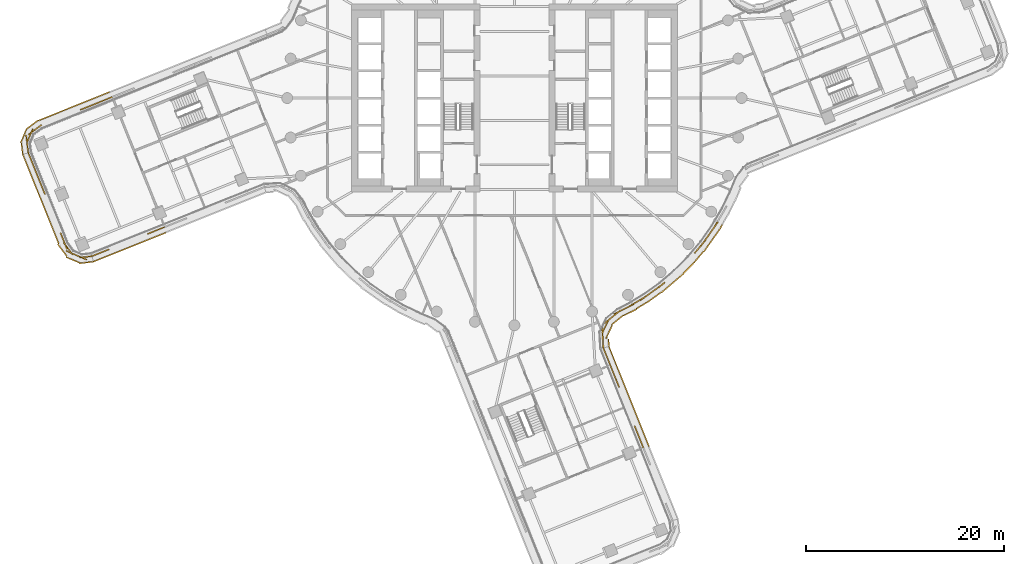
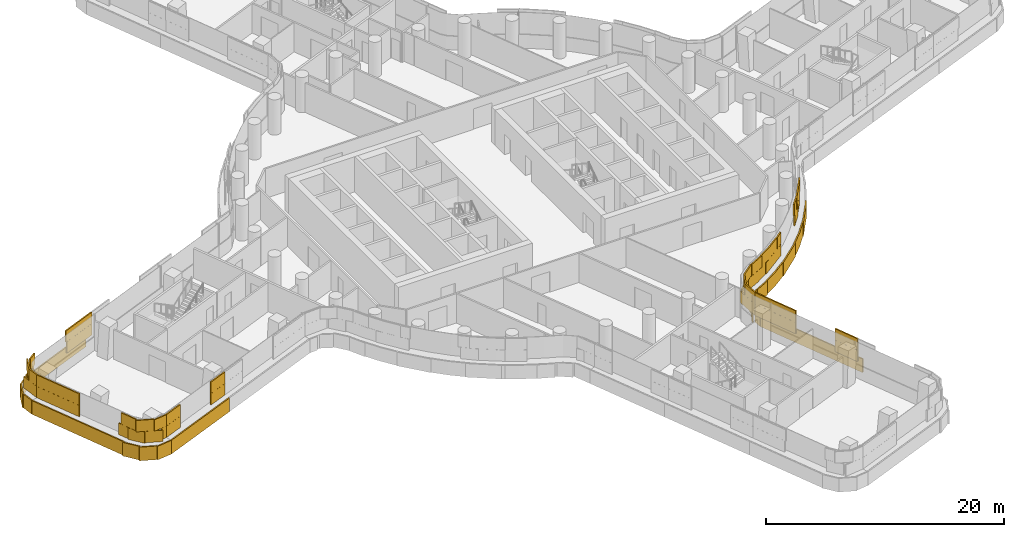
# One storey, part 27 of 32: 5 coverings.
"""IFC4 building model written with IfcOpenShell, lengths in metres."""

import ifcopenshell
import ifcopenshell.guid

model = None  # the IFC model being written
_history = None  # IfcOwnerHistory: only IFC2X3 demands one
_inside = {}  # id of a spatial element -> (the spatial element, [elements in it])
_under = {}  # id of a project, library or spatial element -> (it, [spatial elements below it])
_declared = {}  # id of a project -> (the project, [libraries it declares])
_typed = {}  # id of a type object -> (the type object, [elements of that type])
_made_of = {}  # id of a material, layer set ... -> (it, [elements and type objects made of it])


def new_model(schema):
    """Start an empty IFC model of exactly this schema.

    Asked for "IFC4X3", IfcOpenShell would pick the latest addendum, in which some entities
    have other attributes; the version numbers below select the first issue.
    IFC2X3 requires an IfcOwnerHistory on every rooted entity: one is made here for all.
    """
    global model, _history
    if schema == "IFC4X3":
        model = ifcopenshell.file(schema_version=(4, 3, 0, 0))
    else:
        model = ifcopenshell.file(schema=schema)
    _inside.clear()
    _under.clear()
    _declared.clear()
    _typed.clear()
    _made_of.clear()
    _history = None
    if model.schema == "IFC2X3":
        org = make("IfcOrganization", Name="unknown")
        user = make(
            "IfcPersonAndOrganization",
            ThePerson=make("IfcPerson", FamilyName="unknown"),
            TheOrganization=org,
        )
        app = make(
            "IfcApplication",
            ApplicationDeveloper=org,
            Version="unknown",
            ApplicationFullName="unknown",
            ApplicationIdentifier="unknown",
        )
        _history = make(
            "IfcOwnerHistory",
            OwningUser=user,
            OwningApplication=app,
            ChangeAction="ADDED",
            CreationDate=0,
        )
    return model


def make(cls, **values):
    """One entity of the class cls with the attributes given. An attribute that is None is left unset."""
    return model.create_entity(
        cls, **{name: value for name, value in values.items() if value is not None}
    )


def rooted(cls, **values):
    """An entity with a GlobalId (a new one), such as an element, a storey or a relation."""
    return make(cls, GlobalId=ifcopenshell.guid.new(), OwnerHistory=_history, **values)


def si_unit(unit_type, name, prefix=None):
    """IfcSIUnit, for example si_unit("LENGTHUNIT", "METRE", prefix="MILLI")."""
    return make("IfcSIUnit", UnitType=unit_type, Prefix=prefix, Name=name)


def assignment(units):
    """IfcUnitAssignment: the units of a project."""
    return None if units is None else make("IfcUnitAssignment", Units=units)


def point(xyz):
    """IfcCartesianPoint."""
    return None if xyz is None else make("IfcCartesianPoint", Coordinates=xyz)


def direction(xyz):
    """IfcDirection."""
    return None if xyz is None else make("IfcDirection", DirectionRatios=xyz)


def frame(location, z_axis=None, x_axis=None):
    """IfcAxis2Placement3D, a coordinate frame: its origin and axes. An axis left out is left unset."""
    return make(
        "IfcAxis2Placement3D",
        Location=point(location),
        Axis=direction(z_axis),
        RefDirection=direction(x_axis),
    )


def frame_2d(location, x_axis=None):
    """IfcAxis2Placement2D, a coordinate frame in the plane: its origin and x axis."""
    return make(
        "IfcAxis2Placement2D", Location=point(location), RefDirection=direction(x_axis)
    )


def origin():
    """The frame at (0, 0, 0) with its axes left unset."""
    return frame((0.0, 0.0, 0.0))


def origin_2d():
    """The frame at (0, 0) in the plane with its x axis left unset."""
    return frame_2d((0.0, 0.0))


def place(relative_to, where):
    """IfcLocalPlacement: puts the frame where relative to a parent placement (None: the world)."""
    return make(
        "IfcLocalPlacement", PlacementRelTo=relative_to, RelativePlacement=where
    )


def context(
    kind, dimensions, precision=None, world=None, true_north=None, identifier=None
):
    """IfcGeometricRepresentationContext, for example the 3D "Model" context."""
    return make(
        "IfcGeometricRepresentationContext",
        ContextIdentifier=identifier,
        ContextType=kind,
        CoordinateSpaceDimension=dimensions,
        Precision=precision,
        WorldCoordinateSystem=world,
        TrueNorth=true_north,
    )


def subcontext(parent, identifier, kind, view, scale=None):
    """IfcGeometricRepresentationSubContext, for example "Body" below "Model"."""
    return make(
        "IfcGeometricRepresentationSubContext",
        ContextIdentifier=identifier,
        ContextType=kind,
        ParentContext=parent,
        TargetScale=scale,
        TargetView=view,
    )


def project(units=None, contexts=None):
    """IfcProject with its units and contexts."""
    return rooted(
        "IfcProject",
        Name="project",
        RepresentationContexts=contexts,
        UnitsInContext=assignment(units),
    )


def spatial(cls, under=None, at=None, **own):
    """A site, building, storey or space (cls), placed at a placement, below another one or the project."""
    s = rooted(cls, ObjectPlacement=at, **own)
    if under is not None:
        _under.setdefault(under.id(), (under, []))[1].append(s)
    return s


def profile(cls, at=None, kind="AREA", **sizes):
    """A parametric profile (cls). Its sizes go by their IFC names, for example OverallWidth=200.0."""
    return make(cls, ProfileType=kind, Position=at, **sizes)


def rectangle(**sizes):
    """IfcRectangleProfileDef."""
    return profile("IfcRectangleProfileDef", **sizes)


def extrude(swept, where, along, depth):
    """IfcExtrudedAreaSolid: the profile swept, set in the frame where, extruded along a direction by depth."""
    return make(
        "IfcExtrudedAreaSolid",
        SweptArea=swept,
        Position=where,
        ExtrudedDirection=direction(along),
        Depth=depth,
    )


def shape(context_of_items, identifier, shape_type, items):
    """IfcShapeRepresentation: the items that make up one representation, for example the "Body"."""
    return make(
        "IfcShapeRepresentation",
        ContextOfItems=context_of_items,
        RepresentationIdentifier=identifier,
        RepresentationType=shape_type,
        Items=items,
    )


def material(Name=None, Category=None):
    """IfcMaterial."""
    return make("IfcMaterial", Name=Name, Category=Category)


def layer(
    of_material, thickness, ventilated=None, Name=None, Category=None, Priority=None
):
    """IfcMaterialLayer: one layer of a wall or slab, of a material (None: an air gap)."""
    return make(
        "IfcMaterialLayer",
        Material=of_material,
        LayerThickness=thickness,
        IsVentilated=ventilated,
        Name=Name,
        Category=Category,
        Priority=Priority,
    )


def layer_set(layers, Name=None):
    """IfcMaterialLayerSet."""
    return make("IfcMaterialLayerSet", MaterialLayers=layers, LayerSetName=Name)


def made_of(thing, what):
    """Note that an element or type object is made of a material, layer set ...; save() writes the relation."""
    if what is not None:
        _made_of.setdefault(what.id(), (what, []))[1].append(thing)
    return thing


def type_object(cls, material=None, **own):
    """A type object (cls), such as IfcWallType, which elements share."""
    return made_of(rooted(cls, **own), material)


def element(
    cls,
    number,
    at=None,
    inside=None,
    cuts=None,
    type_object=None,
    material=None,
    context=None,
    identifier="Body",
    shape_type=None,
    held_by="IfcProductDefinitionShape",
    body=None,
    shapes=None,
    **own,
):
    """One element of the class cls, such as IfcWall. Its Tag is "e" and its number.

    at: its placement. inside: the storey or other place that contains it. cuts: it is an
    opening in that element (IfcRelVoidsElement). A single representation is given by context,
    identifier, shape_type and body (its items); several are given by shapes. held_by: the class
    of the entity that holds the representations. save() writes the other relations.
    """
    e = rooted(cls, Tag="e%d" % number, ObjectPlacement=at, **own)
    if body is not None:
        shapes = [shape(context, identifier, shape_type, body)]
    if shapes is not None:
        e.Representation = make(held_by, Representations=shapes)
    if inside is not None:
        _inside.setdefault(inside.id(), (inside, []))[1].append(e)
    if cuts is not None:
        rooted(
            "IfcRelVoidsElement", RelatingBuildingElement=cuts, RelatedOpeningElement=e
        )
    if type_object is not None:
        _typed.setdefault(type_object.id(), (type_object, []))[1].append(e)
    return made_of(e, material)


def aggregate(whole, parts):
    """IfcRelAggregates: a whole, such as a stair, and the parts it consists of."""
    return rooted("IfcRelAggregates", RelatingObject=whole, RelatedObjects=parts)


def save(model, path):
    """Write the relations noted so far, then the file.

    IfcRelAggregates (storeys below a building ...), IfcRelContainedInSpatialStructure (elements
    in a storey), IfcRelDefinesByType, IfcRelAssociatesMaterial and IfcRelDeclares: one each for
    every whole, place, type object, material and project.
    """
    for whole, parts in _under.values():
        aggregate(whole, parts)
    for where, things in _inside.values():
        rooted(
            "IfcRelContainedInSpatialStructure",
            RelatedElements=things,
            RelatingStructure=where,
        )
    for kind, things in _typed.values():
        rooted("IfcRelDefinesByType", RelatedObjects=things, RelatingType=kind)
    for what, things in _made_of.values():
        rooted("IfcRelAssociatesMaterial", RelatedObjects=things, RelatingMaterial=what)
    for by, libraries in _declared.values():
        rooted("IfcRelDeclares", RelatingContext=by, RelatedDefinitions=libraries)
    model.write(path)


model = new_model("IFC4")

# Units and contexts
model_context = context("Model", 3, precision=1e-05, world=origin(), true_north=direction((0.0, 1.0)))
body_context = subcontext(model_context, "Body", "Model", "MODEL_VIEW")
ifc_project = project(units=[si_unit("LENGTHUNIT", "METRE"), si_unit("AREAUNIT", "SQUARE_METRE"), si_unit("VOLUMEUNIT", "CUBIC_METRE"), si_unit("PLANEANGLEUNIT", "RADIAN"), si_unit("MASSUNIT", "GRAM", prefix="KILO")], contexts=[model_context])

# Site, building, storey
site_placement = place(None, origin())
site = spatial("IfcSite", under=ifc_project, at=site_placement, CompositionType="ELEMENT")
building_placement = place(site_placement, origin())
building = spatial("IfcBuilding", under=site, at=building_placement, Name="Tamarind Cross Interchange Tower", CompositionType="ELEMENT")
storey_placement = place(building_placement, frame((0.0, 0.0, 113.5)))
storey = spatial("IfcBuildingStorey", under=building, at=storey_placement, Name="L27", CompositionType="ELEMENT", Elevation=113.5)

# Coverings
ifc_material = material(Name="Terracotta", Category="masonry")
ifc_layer = layer(ifc_material, 0.1201171875)
ifc_layer_set = layer_set([ifc_layer], Name="Terracotta")
covering_type = type_object("IfcCoveringType", Name="Terracotta baguette screen unit", PredefinedType="MOLDING", material=ifc_layer_set)
covering_1_placement = place(storey_placement, origin())
element("IfcCovering", 1, at=covering_1_placement, inside=storey, type_object=covering_type, Name="SCR-L27-00-00", PredefinedType="MOLDING", context=body_context, shape_type="SweptSolid", body=[
    extrude(rectangle(XDim=0.760009765625, YDim=0.1201171875, at=origin_2d()), frame((-49.06494140625, -5.903564453125, 1.404052734375), z_axis=(0.0, 0.0, 1.0), x_axis=(0.373648394893, -0.927570416192, 0.0)), (0.0, 0.0, 1.0), 1.1669921875),
    extrude(rectangle(XDim=1.52001953125, YDim=0.1201171875, at=origin_2d()), frame((-48.644775390625, -6.947021484375, 1.404052734375), z_axis=(0.0, 0.0, 1.0), x_axis=(0.373648394893, -0.927570416192, 0.0)), (0.0, 0.0, 1.0), 1.1669921875),
    extrude(rectangle(XDim=1.52001953125, YDim=0.1201171875, at=origin_2d()), frame((-48.084228515625, -8.33837890625, 1.404052734375), z_axis=(0.0, 0.0, 1.0), x_axis=(0.373648394893, -0.927570416192, 0.0)), (0.0, 0.0, 1.0), 1.1669921875),
    extrude(rectangle(XDim=0.784912109375, YDim=0.1201171875, at=origin_2d()), frame((-47.6591796875, -9.3935546875, 1.404052734375), z_axis=(0.0, 0.0, 1.0), x_axis=(0.373648394893, -0.927570416192, 0.0)), (0.0, 0.0, 1.0), 1.1669921875),
    extrude(rectangle(XDim=1.03515625, YDim=0.1201171875, at=origin_2d()), frame((-45.753662109375, -14.1240234375, 1.404052734375), z_axis=(0.0, 0.0, 1.0), x_axis=(0.373648394893, -0.927570416192, 0.0)), (0.0, 0.0, 1.0), 1.1669921875),
    extrude(rectangle(XDim=1.52001953125, YDim=0.1201171875, at=origin_2d()), frame((-45.173583984375, -15.234130859375, 1.404052734375), z_axis=(0.0, 0.0, 1.0), x_axis=(0.600989523963, -0.799256899931, 0.0)), (0.0, 0.0, 1.0), 1.1669921875),
    extrude(rectangle(XDim=1.52001953125, YDim=0.1201171875, at=origin_2d()), frame((-43.983154296875, -16.064208984375, 1.404052734375), z_axis=(0.0, 0.0, 1.0), x_axis=(0.920100645125, -0.391682017509, 0.0)), (0.0, 0.0, 1.0), 1.1669921875),
    extrude(rectangle(XDim=0.509521484375, YDim=0.1201171875, at=origin_2d()), frame((-43.003662109375, -16.03466796875, 1.404052734375), z_axis=(0.0, 0.0, 1.0), x_axis=(0.992671541471, 0.120843745195, 0.0)), (0.0, 0.0, 1.0), 1.1669921875),
    extrude(rectangle(XDim=1.510009765625, YDim=0.1201171875, at=origin_2d()), frame((-48.9248046875, -6.25146484375, 2.5791015625), z_axis=(0.0, 0.0, 1.0), x_axis=(0.373648394893, -0.927570416192, 0.0)), (0.0, 0.0, 1.0), 1.1669921875),
    extrude(rectangle(XDim=1.52001953125, YDim=0.1201171875, at=origin_2d()), frame((-48.364501953125, -7.642822265625, 2.5791015625), z_axis=(0.0, 0.0, 1.0), x_axis=(0.373648394893, -0.927570416192, 0.0)), (0.0, 0.0, 1.0), 1.1669921875),
    extrude(rectangle(XDim=1.52001953125, YDim=0.1201171875, at=origin_2d()), frame((-47.803955078125, -9.0341796875, 2.5791015625), z_axis=(0.0, 0.0, 1.0), x_axis=(0.373648394893, -0.927570416192, 0.0)), (0.0, 0.0, 1.0), 1.1669921875),
    extrude(rectangle(XDim=1.52001953125, YDim=0.1201171875, at=origin_2d()), frame((-45.56201171875, -14.599609375, 2.5791015625), z_axis=(0.0, 0.0, 1.0), x_axis=(0.373648394893, -0.927570416192, 0.0)), (0.0, 0.0, 1.0), 1.1669921875),
    extrude(rectangle(XDim=1.52001953125, YDim=0.1201171875, at=origin_2d()), frame((-44.67333984375, -15.770263671875, 2.5791015625), z_axis=(0.0, 0.0, 1.0), x_axis=(0.920100645125, -0.391682017509, 0.0)), (0.0, 0.0, 1.0), 1.1669921875),
    extrude(rectangle(XDim=1.259521484375, YDim=0.1201171875, at=origin_2d()), frame((-43.3759765625, -16.080078125, 2.5791015625), z_axis=(0.0, 0.0, 1.0), x_axis=(0.992671541471, 0.120843745195, 0.0)), (0.0, 0.0, 1.0), 1.1669921875),
    extrude(rectangle(XDim=0.760009765625, YDim=0.1201171875, at=origin_2d()), frame((-49.623779296875, -6.052490234375, 0.00390625), z_axis=(0.0, 0.0, 1.0), x_axis=(0.373648394893, -0.927570416192, 0.0)), (0.0, 0.0, 1.0), 1.39208984375),
    extrude(rectangle(XDim=1.52001953125, YDim=0.1201171875, at=origin_2d()), frame((-49.205322265625, -7.091552734375, 0.00390625), z_axis=(0.0, 0.0, 1.0), x_axis=(0.373648394893, -0.927570416192, 0.0)), (0.0, 0.0, 1.0), 1.39208984375),
    extrude(rectangle(XDim=1.52001953125, YDim=0.1201171875, at=origin_2d()), frame((-48.644775390625, -8.48291015625, 0.00390625), z_axis=(0.0, 0.0, 1.0), x_axis=(0.373648394893, -0.927570416192, 0.0)), (0.0, 0.0, 1.0), 1.39208984375),
    extrude(rectangle(XDim=1.52001953125, YDim=0.1201171875, at=origin_2d()), frame((-48.08447265625, -9.874267578125, 0.00390625), z_axis=(0.0, 0.0, 1.0), x_axis=(0.373648394893, -0.927570416192, 0.0)), (0.0, 0.0, 1.0), 1.39208984375),
    extrude(rectangle(XDim=1.52001953125, YDim=0.1201171875, at=origin_2d()), frame((-47.52392578125, -11.265625, 0.00390625), z_axis=(0.0, 0.0, 1.0), x_axis=(0.373648394893, -0.927570416192, 0.0)), (0.0, 0.0, 1.0), 1.39208984375),
    extrude(rectangle(XDim=1.52001953125, YDim=0.1201171875, at=origin_2d()), frame((-46.96337890625, -12.656982421875, 0.00390625), z_axis=(0.0, 0.0, 1.0), x_axis=(0.373648394893, -0.927570416192, 0.0)), (0.0, 0.0, 1.0), 1.39208984375),
    extrude(rectangle(XDim=1.52001953125, YDim=0.1201171875, at=origin_2d()), frame((-46.403076171875, -14.04833984375, 0.00390625), z_axis=(0.0, 0.0, 1.0), x_axis=(0.373648394893, -0.927570416192, 0.0)), (0.0, 0.0, 1.0), 1.39208984375),
    extrude(rectangle(XDim=1.52001953125, YDim=0.1201171875, at=origin_2d()), frame((-45.7685546875, -15.39794921875, 0.00390625), z_axis=(0.0, 0.0, 1.0), x_axis=(0.600989523963, -0.799256899931, 0.0)), (0.0, 0.0, 1.0), 1.39208984375),
    extrude(rectangle(XDim=1.52001953125, YDim=0.1201171875, at=origin_2d()), frame((-44.69970703125, -16.383056640625, 0.00390625), z_axis=(0.0, 0.0, 1.0), x_axis=(0.920100645125, -0.391682017509, 0.0)), (0.0, 0.0, 1.0), 1.39208984375),
    extrude(rectangle(XDim=1.426513671875, YDim=0.1201171875, at=origin_2d()), frame((-43.31982421875, -16.6513671875, 0.00390625), z_axis=(0.0, 0.0, 1.0), x_axis=(0.992671541471, 0.120843745195, 0.0)), (0.0, 0.0, 1.0), 1.39208984375),
])
covering_2_placement = place(storey_placement, origin())
element("IfcCovering", 2, at=covering_2_placement, inside=storey, type_object=covering_type, Name="SCR-L27-01-00", PredefinedType="MOLDING", context=body_context, shape_type="SweptSolid", body=[
    extrude(rectangle(XDim=0.760009765625, YDim=0.1201171875, at=origin_2d()), frame((-42.40771484375, -15.864990234375, 1.404052734375), z_axis=(0.0, 0.0, 1.0), x_axis=(0.928182933401, 0.372124229448, 0.0)), (0.0, 0.0, 1.0), 1.1669921875),
    extrude(rectangle(XDim=1.11962890625, YDim=0.1201171875, at=origin_2d()), frame((-41.544677734375, -15.51904296875, 1.404052734375), z_axis=(0.0, 0.0, 1.0), x_axis=(0.928182933401, 0.372124229448, 0.0)), (0.0, 0.0, 1.0), 1.1669921875),
    extrude(rectangle(XDim=0.700439453125, YDim=0.1201171875, at=origin_2d()), frame((-36.810791015625, -13.62109375, 1.404052734375), z_axis=(0.0, 0.0, 1.0), x_axis=(0.928182933401, 0.372124229448, 0.0)), (0.0, 0.0, 1.0), 1.1669921875),
    extrude(rectangle(XDim=1.179443359375, YDim=0.1201171875, at=origin_2d()), frame((-35.94775390625, -13.275146484375, 1.404052734375), z_axis=(0.0, 0.0, 1.0), x_axis=(0.928182933401, 0.372124229448, 0.0)), (0.0, 0.0, 1.0), 1.1669921875),
    extrude(rectangle(XDim=1.510009765625, YDim=0.1201171875, at=origin_2d()), frame((-42.0595703125, -15.725341796875, 2.5791015625), z_axis=(0.0, 0.0, 1.0), x_axis=(0.928182933401, 0.372124229448, 0.0)), (0.0, 0.0, 1.0), 1.1669921875),
    extrude(rectangle(XDim=0.36962890625, YDim=0.1201171875, at=origin_2d()), frame((-41.196533203125, -15.37939453125, 2.5791015625), z_axis=(0.0, 0.0, 1.0), x_axis=(0.928182933401, 0.372124229448, 0.0)), (0.0, 0.0, 1.0), 1.1669921875),
    extrude(rectangle(XDim=1.450439453125, YDim=0.1201171875, at=origin_2d()), frame((-36.462890625, -13.481689453125, 2.5791015625), z_axis=(0.0, 0.0, 1.0), x_axis=(0.928182933401, 0.372124229448, 0.0)), (0.0, 0.0, 1.0), 1.1669921875),
    extrude(rectangle(XDim=0.429443359375, YDim=0.1201171875, at=origin_2d()), frame((-35.599853515625, -13.135498046875, 2.5791015625), z_axis=(0.0, 0.0, 1.0), x_axis=(0.928182933401, 0.372124229448, 0.0)), (0.0, 0.0, 1.0), 1.1669921875),
    extrude(rectangle(XDim=0.760009765625, YDim=0.1201171875, at=origin_2d()), frame((-42.259033203125, -16.423828125, 0.00390625), z_axis=(0.0, 0.0, 1.0), x_axis=(0.928182933401, 0.372124229448, 0.0)), (0.0, 0.0, 1.0), 1.39208984375),
    extrude(rectangle(XDim=1.52001953125, YDim=0.1201171875, at=origin_2d()), frame((-41.219482421875, -16.007080078125, 0.00390625), z_axis=(0.0, 0.0, 1.0), x_axis=(0.928182933401, 0.372124229448, 0.0)), (0.0, 0.0, 1.0), 1.39208984375),
    extrude(rectangle(XDim=1.52001953125, YDim=0.1201171875, at=origin_2d()), frame((-39.827392578125, -15.448974609375, 0.00390625), z_axis=(0.0, 0.0, 1.0), x_axis=(0.928182933401, 0.372124229448, 0.0)), (0.0, 0.0, 1.0), 1.39208984375),
    extrude(rectangle(XDim=1.52001953125, YDim=0.1201171875, at=origin_2d()), frame((-38.43505859375, -14.890625, 0.00390625), z_axis=(0.0, 0.0, 1.0), x_axis=(0.928182933401, 0.372124229448, 0.0)), (0.0, 0.0, 1.0), 1.39208984375),
    extrude(rectangle(XDim=1.52001953125, YDim=0.1201171875, at=origin_2d()), frame((-37.042724609375, -14.33251953125, 0.00390625), z_axis=(0.0, 0.0, 1.0), x_axis=(0.928182933401, 0.372124229448, 0.0)), (0.0, 0.0, 1.0), 1.39208984375),
    extrude(rectangle(XDim=1.17138671875, YDim=0.1201171875, at=origin_2d()), frame((-35.812255859375, -13.839111328125, 0.00390625), z_axis=(0.0, 0.0, 1.0), x_axis=(0.928182933401, 0.372124229448, 0.0)), (0.0, 0.0, 1.0), 1.39208984375),
])
covering_3_placement = place(storey_placement, origin())
element("IfcCovering", 3, at=covering_3_placement, inside=storey, type_object=covering_type, Name="SCR-L27-05-01", PredefinedType="MOLDING", context=body_context, shape_type="SweptSolid", body=[
    extrude(rectangle(XDim=0.340576171875, YDim=0.1201171875, at=origin_2d()), frame((12.99609375, -35.251708984375, 1.404052734375), z_axis=(0.0, 0.0, 1.0), x_axis=(-0.372124229448, 0.928182933401, 0.0)), (0.0, 0.0, 1.0), 1.1669921875),
    extrude(rectangle(XDim=1.52001953125, YDim=0.1201171875, at=origin_2d()), frame((12.655517578125, -34.402099609375, 1.404052734375), z_axis=(0.0, 0.0, 1.0), x_axis=(-0.372124229448, 0.928182933401, 0.0)), (0.0, 0.0, 1.0), 1.1669921875),
    extrude(rectangle(XDim=0.57861328125, YDim=0.1201171875, at=origin_2d()), frame((12.2705078125, -33.442138671875, 1.404052734375), z_axis=(0.0, 0.0, 1.0), x_axis=(-0.372124229448, 0.928182933401, 0.0)), (0.0, 0.0, 1.0), 1.1669921875),
    extrude(rectangle(XDim=1.241455078125, YDim=0.1201171875, at=origin_2d()), frame((10.372802734375, -28.708251953125, 1.404052734375), z_axis=(0.0, 0.0, 1.0), x_axis=(-0.372124229448, 0.928182933401, 0.0)), (0.0, 0.0, 1.0), 1.1669921875),
    extrude(rectangle(XDim=1.52001953125, YDim=0.1201171875, at=origin_2d()), frame((9.864501953125, -27.440673828125, 1.404052734375), z_axis=(0.0, 0.0, 1.0), x_axis=(-0.372124229448, 0.928182933401, 0.0)), (0.0, 0.0, 1.0), 1.1669921875),
    extrude(rectangle(XDim=1.52001953125, YDim=0.1201171875, at=origin_2d()), frame((9.306396484375, -26.048583984375, 1.404052734375), z_axis=(0.0, 0.0, 1.0), x_axis=(-0.372124229448, 0.928182933401, 0.0)), (0.0, 0.0, 1.0), 1.1669921875),
    extrude(rectangle(XDim=0.084228515625, YDim=0.1201171875, at=origin_2d()), frame((9.013427734375, -25.31787109375, 1.404052734375), z_axis=(0.0, 0.0, 1.0), x_axis=(-0.372124229448, 0.928182933401, 0.0)), (0.0, 0.0, 1.0), 1.1669921875),
    extrude(rectangle(XDim=1.090576171875, YDim=0.1201171875, at=origin_2d()), frame((12.8564453125, -34.903564453125, 2.5791015625), z_axis=(0.0, 0.0, 1.0), x_axis=(-0.372124229448, 0.928182933401, 0.0)), (0.0, 0.0, 1.0), 1.1669921875),
    extrude(rectangle(XDim=1.32861328125, YDim=0.1201171875, at=origin_2d()), frame((12.41015625, -33.790283203125, 2.5791015625), z_axis=(0.0, 0.0, 1.0), x_axis=(-0.372124229448, 0.928182933401, 0.0)), (0.0, 0.0, 1.0), 1.1669921875),
    extrude(rectangle(XDim=0.491455078125, YDim=0.1201171875, at=origin_2d()), frame((10.51220703125, -29.056396484375, 2.5791015625), z_axis=(0.0, 0.0, 1.0), x_axis=(-0.372124229448, 0.928182933401, 0.0)), (0.0, 0.0, 1.0), 1.1669921875),
    extrude(rectangle(XDim=1.52001953125, YDim=0.1201171875, at=origin_2d()), frame((10.1435546875, -28.136962890625, 2.5791015625), z_axis=(0.0, 0.0, 1.0), x_axis=(-0.372124229448, 0.928182933401, 0.0)), (0.0, 0.0, 1.0), 1.1669921875),
    extrude(rectangle(XDim=1.52001953125, YDim=0.1201171875, at=origin_2d()), frame((9.58544921875, -26.74462890625, 2.5791015625), z_axis=(0.0, 0.0, 1.0), x_axis=(-0.372124229448, 0.928182933401, 0.0)), (0.0, 0.0, 1.0), 1.1669921875),
    extrude(rectangle(XDim=0.834228515625, YDim=0.1201171875, at=origin_2d()), frame((9.15283203125, -25.666015625, 2.5791015625), z_axis=(0.0, 0.0, 1.0), x_axis=(-0.372124229448, 0.928182933401, 0.0)), (0.0, 0.0, 1.0), 1.1669921875),
    extrude(rectangle(XDim=0.3486328125, YDim=0.1201171875, at=origin_2d()), frame((13.556396484375, -35.10693359375, 0.00390625), z_axis=(0.0, 0.0, 1.0), x_axis=(-0.372124229448, 0.928182933401, 0.0)), (0.0, 0.0, 1.0), 1.39208984375),
    extrude(rectangle(XDim=1.52001953125, YDim=0.1201171875, at=origin_2d()), frame((13.216064453125, -34.25830078125, 0.00390625), z_axis=(0.0, 0.0, 1.0), x_axis=(-0.372124229448, 0.928182933401, 0.0)), (0.0, 0.0, 1.0), 1.39208984375),
    extrude(rectangle(XDim=1.52001953125, YDim=0.1201171875, at=origin_2d()), frame((12.657958984375, -32.865966796875, 0.00390625), z_axis=(0.0, 0.0, 1.0), x_axis=(-0.372124229448, 0.928182933401, 0.0)), (0.0, 0.0, 1.0), 1.39208984375),
    extrude(rectangle(XDim=1.52001953125, YDim=0.1201171875, at=origin_2d()), frame((12.099853515625, -31.4736328125, 0.00390625), z_axis=(0.0, 0.0, 1.0), x_axis=(-0.372124229448, 0.928182933401, 0.0)), (0.0, 0.0, 1.0), 1.39208984375),
    extrude(rectangle(XDim=1.52001953125, YDim=0.1201171875, at=origin_2d()), frame((11.54150390625, -30.081298828125, 0.00390625), z_axis=(0.0, 0.0, 1.0), x_axis=(-0.372124229448, 0.928182933401, 0.0)), (0.0, 0.0, 1.0), 1.39208984375),
    extrude(rectangle(XDim=1.52001953125, YDim=0.1201171875, at=origin_2d()), frame((10.9833984375, -28.689208984375, 0.00390625), z_axis=(0.0, 0.0, 1.0), x_axis=(-0.372124229448, 0.928182933401, 0.0)), (0.0, 0.0, 1.0), 1.39208984375),
    extrude(rectangle(XDim=1.52001953125, YDim=0.1201171875, at=origin_2d()), frame((10.42529296875, -27.296875, 0.00390625), z_axis=(0.0, 0.0, 1.0), x_axis=(-0.372124229448, 0.928182933401, 0.0)), (0.0, 0.0, 1.0), 1.39208984375),
    extrude(rectangle(XDim=1.52001953125, YDim=0.1201171875, at=origin_2d()), frame((9.866943359375, -25.904541015625, 0.00390625), z_axis=(0.0, 0.0, 1.0), x_axis=(-0.372124229448, 0.928182933401, 0.0)), (0.0, 0.0, 1.0), 1.39208984375),
    extrude(rectangle(XDim=0.0654296875, YDim=0.1201171875, at=origin_2d()), frame((9.57958984375, -25.187255859375, 0.00390625), z_axis=(0.0, 0.0, 1.0), x_axis=(-0.372124229448, 0.928182933401, 0.0)), (0.0, 0.0, 1.0), 1.39208984375),
])
covering_4_placement = place(storey_placement, origin())
element("IfcCovering", 4, at=covering_4_placement, inside=storey, type_object=covering_type, Name="SCR-L27-06-00", PredefinedType="MOLDING", context=body_context, shape_type="SweptSolid", body=[
    extrude(rectangle(XDim=0.760009765625, YDim=0.1201171875, at=origin_2d()), frame((8.978271484375, -24.908935546875, 1.404052734375), z_axis=(0.0, 0.0, 1.0), x_axis=(-0.056999779649, 0.998374190932, 0.0)), (0.0, 0.0, 1.0), 1.1669921875),
    extrude(rectangle(XDim=1.52001953125, YDim=0.1201171875, at=origin_2d()), frame((8.9140625, -23.785888671875, 1.404052734375), z_axis=(0.0, 0.0, 1.0), x_axis=(-0.056999779649, 0.998374190932, 0.0)), (0.0, 0.0, 1.0), 1.1669921875),
    extrude(rectangle(XDim=1.52001953125, YDim=0.1201171875, at=origin_2d()), frame((9.556884765625, -22.441162109375, 1.404052734375), z_axis=(0.0, 0.0, 1.0), x_axis=(0.776503721917, 0.630112664409, 0.0)), (0.0, 0.0, 1.0), 1.1669921875),
    extrude(rectangle(XDim=1.52001953125, YDim=0.1201171875, at=origin_2d()), frame((10.747314453125, -21.535888671875, 1.404052734375), z_axis=(0.0, 0.0, 1.0), x_axis=(0.895032860107, 0.446000201042, 0.0)), (0.0, 0.0, 1.0), 1.1669921875),
    extrude(rectangle(XDim=1.52001953125, YDim=0.1201171875, at=origin_2d()), frame((12.067138671875, -20.8251953125, 1.404052734375), z_axis=(0.0, 0.0, 1.0), x_axis=(0.856843065292, 0.515577308909, 0.0)), (0.0, 0.0, 1.0), 1.1669921875),
    extrude(rectangle(XDim=1.52001953125, YDim=0.1201171875, at=origin_2d()), frame((13.347412109375, -20.04443359375, 1.404052734375), z_axis=(0.0, 0.0, 1.0), x_axis=(0.811340475102, 0.584573890505, 0.0)), (0.0, 0.0, 1.0), 1.1669921875),
    extrude(rectangle(XDim=1.52001953125, YDim=0.1201171875, at=origin_2d()), frame((14.564453125, -19.167724609375, 1.404052734375), z_axis=(0.0, 0.0, 1.0), x_axis=(0.811340475102, 0.584573890505, 0.0)), (0.0, 0.0, 1.0), 1.1669921875),
    extrude(rectangle(XDim=1.52001953125, YDim=0.1201171875, at=origin_2d()), frame((18.842041015625, -14.984375, 1.404052734375), z_axis=(0.0, 0.0, 1.0), x_axis=(0.643009266048, 0.765858396687, 0.0)), (0.0, 0.0, 1.0), 1.1669921875),
    extrude(rectangle(XDim=1.52001953125, YDim=0.1201171875, at=origin_2d()), frame((19.731689453125, -13.77783203125, 1.404052734375), z_axis=(0.0, 0.0, 1.0), x_axis=(0.577568978284, 0.816341886298, 0.0)), (0.0, 0.0, 1.0), 1.1669921875),
    extrude(rectangle(XDim=0.7685546875, YDim=0.1201171875, at=origin_2d()), frame((20.3642578125, -12.84326171875, 1.404052734375), z_axis=(0.0, 0.0, 1.0), x_axis=(0.508183308752, 0.861248933065, 0.0)), (0.0, 0.0, 1.0), 1.1669921875),
    extrude(rectangle(XDim=1.510009765625, YDim=0.1201171875, at=origin_2d()), frame((8.956787109375, -24.53466796875, 2.5791015625), z_axis=(0.0, 0.0, 1.0), x_axis=(-0.056999779649, 0.998374190932, 0.0)), (0.0, 0.0, 1.0), 1.1669921875),
    extrude(rectangle(XDim=1.52001953125, YDim=0.1201171875, at=origin_2d()), frame((9.217529296875, -23.10595703125, 2.5791015625), z_axis=(0.0, 0.0, 1.0), x_axis=(0.434261731752, 0.900786738544, 0.0)), (0.0, 0.0, 1.0), 1.1669921875),
    extrude(rectangle(XDim=1.52001953125, YDim=0.1201171875, at=origin_2d()), frame((10.139404296875, -21.968505859375, 2.5791015625), z_axis=(0.0, 0.0, 1.0), x_axis=(0.776503721917, 0.630112664409, 0.0)), (0.0, 0.0, 1.0), 1.1669921875),
    extrude(rectangle(XDim=1.52001953125, YDim=0.1201171875, at=origin_2d()), frame((11.418701171875, -21.201416015625, 2.5791015625), z_axis=(0.0, 0.0, 1.0), x_axis=(0.895032860107, 0.446000201042, 0.0)), (0.0, 0.0, 1.0), 1.1669921875),
    extrude(rectangle(XDim=1.52001953125, YDim=0.1201171875, at=origin_2d()), frame((12.709716796875, -20.4384765625, 2.5791015625), z_axis=(0.0, 0.0, 1.0), x_axis=(0.856843065292, 0.515577308909, 0.0)), (0.0, 0.0, 1.0), 1.1669921875),
    extrude(rectangle(XDim=1.52001953125, YDim=0.1201171875, at=origin_2d()), frame((13.9560546875, -19.60595703125, 2.5791015625), z_axis=(0.0, 0.0, 1.0), x_axis=(0.811340475102, 0.584573890505, 0.0)), (0.0, 0.0, 1.0), 1.1669921875),
    extrude(rectangle(XDim=0.85009765625, YDim=0.1201171875, at=origin_2d()), frame((14.9033203125, -18.919677734375, 2.5791015625), z_axis=(0.0, 0.0, 1.0), x_axis=(0.760295606781, 0.64957723968, 0.0)), (0.0, 0.0, 1.0), 1.1669921875),
    extrude(rectangle(XDim=0.969970703125, YDim=0.1201171875, at=origin_2d()), frame((18.533447265625, -15.35205078125, 2.5791015625), z_axis=(0.0, 0.0, 1.0), x_axis=(0.643009266048, 0.765858396687, 0.0)), (0.0, 0.0, 1.0), 1.1669921875),
    extrude(rectangle(XDim=1.52001953125, YDim=0.1201171875, at=origin_2d()), frame((19.298583984375, -14.39013671875, 2.5791015625), z_axis=(0.0, 0.0, 1.0), x_axis=(0.577568978284, 0.816341886298, 0.0)), (0.0, 0.0, 1.0), 1.1669921875),
    extrude(rectangle(XDim=1.52001953125, YDim=0.1201171875, at=origin_2d()), frame((20.164794921875, -13.16552734375, 2.5791015625), z_axis=(0.0, 0.0, 1.0), x_axis=(0.577568978284, 0.816341886298, 0.0)), (0.0, 0.0, 1.0), 1.1669921875),
    extrude(rectangle(XDim=0.760009765625, YDim=0.1201171875, at=origin_2d()), frame((9.545654296875, -24.777587890625, 0.00390625), z_axis=(0.0, 0.0, 1.0), x_axis=(-0.056999779649, 0.998374190932, 0.0)), (0.0, 0.0, 1.0), 1.39208984375),
    extrude(rectangle(XDim=1.52001953125, YDim=0.1201171875, at=origin_2d()), frame((9.57861328125, -23.6787109375, 0.00390625), z_axis=(0.0, 0.0, 1.0), x_axis=(0.434261731752, 0.900786738544, 0.0)), (0.0, 0.0, 1.0), 1.39208984375),
    extrude(rectangle(XDim=1.52001953125, YDim=0.1201171875, at=origin_2d()), frame((10.42138671875, -22.478759765625, 0.00390625), z_axis=(0.0, 0.0, 1.0), x_axis=(0.776503721917, 0.630112664409, 0.0)), (0.0, 0.0, 1.0), 1.39208984375),
    extrude(rectangle(XDim=1.52001953125, YDim=0.1201171875, at=origin_2d()), frame((11.696044921875, -21.704345703125, 0.00390625), z_axis=(0.0, 0.0, 1.0), x_axis=(0.895032860107, 0.446000201042, 0.0)), (0.0, 0.0, 1.0), 1.39208984375),
    extrude(rectangle(XDim=1.52001953125, YDim=0.1201171875, at=origin_2d()), frame((12.987060546875, -20.941650390625, 0.00390625), z_axis=(0.0, 0.0, 1.0), x_axis=(0.856843065292, 0.515577308909, 0.0)), (0.0, 0.0, 1.0), 1.39208984375),
    extrude(rectangle(XDim=1.52001953125, YDim=0.1201171875, at=origin_2d()), frame((14.2353515625, -20.112060546875, 0.00390625), z_axis=(0.0, 0.0, 1.0), x_axis=(0.811340475102, 0.584573890505, 0.0)), (0.0, 0.0, 1.0), 1.39208984375),
    extrude(rectangle(XDim=1.52001953125, YDim=0.1201171875, at=origin_2d()), frame((15.4384765625, -19.217529296875, 0.00390625), z_axis=(0.0, 0.0, 1.0), x_axis=(0.760295606781, 0.64957723968, 0.0)), (0.0, 0.0, 1.0), 1.39208984375),
    extrude(rectangle(XDim=1.52001953125, YDim=0.1201171875, at=origin_2d()), frame((16.578857421875, -18.2431640625, 0.00390625), z_axis=(0.0, 0.0, 1.0), x_axis=(0.760295606781, 0.64957723968, 0.0)), (0.0, 0.0, 1.0), 1.39208984375),
    extrude(rectangle(XDim=1.52001953125, YDim=0.1201171875, at=origin_2d()), frame((17.64990234375, -17.19384765625, 0.00390625), z_axis=(0.0, 0.0, 1.0), x_axis=(0.704057148523, 0.710143317658, 0.0)), (0.0, 0.0, 1.0), 1.39208984375),
    extrude(rectangle(XDim=1.52001953125, YDim=0.1201171875, at=origin_2d()), frame((18.663330078125, -16.08984375, 0.00390625), z_axis=(0.0, 0.0, 1.0), x_axis=(0.643009266048, 0.765858396687, 0.0)), (0.0, 0.0, 1.0), 1.39208984375),
    extrude(rectangle(XDim=1.52001953125, YDim=0.1201171875, at=origin_2d()), frame((19.617431640625, -14.93310546875, 0.00390625), z_axis=(0.0, 0.0, 1.0), x_axis=(0.577568978284, 0.816341886298, 0.0)), (0.0, 0.0, 1.0), 1.39208984375),
    extrude(rectangle(XDim=1.52001953125, YDim=0.1201171875, at=origin_2d()), frame((20.48388671875, -13.70849609375, 0.00390625), z_axis=(0.0, 0.0, 1.0), x_axis=(0.577568978284, 0.816341886298, 0.0)), (0.0, 0.0, 1.0), 1.39208984375),
    extrude(rectangle(XDim=0.317138671875, YDim=0.1201171875, at=origin_2d()), frame((20.966796875, -12.95166015625, 0.00390625), z_axis=(0.0, 0.0, 1.0), x_axis=(0.508183308752, 0.861248933065, 0.0)), (0.0, 0.0, 1.0), 1.39208984375),
])
covering_5_placement = place(storey_placement, origin())
element("IfcCovering", 5, at=covering_5_placement, inside=storey, type_object=covering_type, Name="SCR-L27-15-02", PredefinedType="MOLDING", context=body_context, shape_type="SweptSolid", body=[
    extrude(rectangle(XDim=0.355712890625, YDim=0.1201171875, at=origin_2d()), frame((-40.864013671875, 0.044677734375, 1.404052734375), z_axis=(0.0, 0.0, 1.0), x_axis=(-0.927570416192, -0.373648394893, 0.0)), (0.0, 0.0, 1.0), 1.1669921875),
    extrude(rectangle(XDim=1.52001953125, YDim=0.1201171875, at=origin_2d()), frame((-41.719970703125, -0.300048828125, 1.404052734375), z_axis=(0.0, 0.0, 1.0), x_axis=(-0.927570416192, -0.373648394893, 0.0)), (0.0, 0.0, 1.0), 1.1669921875),
    extrude(rectangle(XDim=1.52001953125, YDim=0.1201171875, at=origin_2d()), frame((-43.111328125, -0.860595703125, 1.404052734375), z_axis=(0.0, 0.0, 1.0), x_axis=(-0.927570416192, -0.373648394893, 0.0)), (0.0, 0.0, 1.0), 1.1669921875),
    extrude(rectangle(XDim=1.52001953125, YDim=0.1201171875, at=origin_2d()), frame((-48.590576171875, -3.255126953125, 1.404052734375), z_axis=(0.0, 0.0, 1.0), x_axis=(-0.799256899931, -0.600989523963, 0.0)), (0.0, 0.0, 1.0), 1.1669921875),
    extrude(rectangle(XDim=1.52001953125, YDim=0.1201171875, at=origin_2d()), frame((-49.33251953125, -4.5087890625, 1.404052734375), z_axis=(0.0, 0.0, 1.0), x_axis=(0.120843745195, -0.992671541471, 0.0)), (0.0, 0.0, 1.0), 1.1669921875),
    extrude(rectangle(XDim=0.314697265625, YDim=0.1201171875, at=origin_2d()), frame((-49.2236328125, -5.404541015625, 1.404052734375), z_axis=(0.0, 0.0, 1.0), x_axis=(0.120843745195, -0.992671541471, 0.0)), (0.0, 0.0, 1.0), 1.1669921875),
    extrude(rectangle(XDim=1.105712890625, YDim=0.1201171875, at=origin_2d()), frame((-41.2119140625, -0.095458984375, 2.5791015625), z_axis=(0.0, 0.0, 1.0), x_axis=(-0.927570416192, -0.373648394893, 0.0)), (0.0, 0.0, 1.0), 1.1669921875),
    extrude(rectangle(XDim=1.52001953125, YDim=0.1201171875, at=origin_2d()), frame((-42.415771484375, -0.580322265625, 2.5791015625), z_axis=(0.0, 0.0, 1.0), x_axis=(-0.927570416192, -0.373648394893, 0.0)), (0.0, 0.0, 1.0), 1.1669921875),
    extrude(rectangle(XDim=0.889404296875, YDim=0.1201171875, at=origin_2d()), frame((-43.519287109375, -1.02490234375, 2.5791015625), z_axis=(0.0, 0.0, 1.0), x_axis=(-0.927570416192, -0.373648394893, 0.0)), (0.0, 0.0, 1.0), 1.1669921875),
    extrude(rectangle(XDim=0.9306640625, YDim=0.1201171875, at=origin_2d()), frame((-48.22265625, -2.978515625, 2.5791015625), z_axis=(0.0, 0.0, 1.0), x_axis=(-0.799256899931, -0.600989523963, 0.0)), (0.0, 0.0, 1.0), 1.1669921875),
    extrude(rectangle(XDim=1.52001953125, YDim=0.1201171875, at=origin_2d()), frame((-49.04736328125, -3.817626953125, 2.5791015625), z_axis=(0.0, 0.0, 1.0), x_axis=(-0.391682017509, -0.920100645125, 0.0)), (0.0, 0.0, 1.0), 1.1669921875),
    extrude(rectangle(XDim=1.064697265625, YDim=0.1201171875, at=origin_2d()), frame((-49.268798828125, -5.0322265625, 2.5791015625), z_axis=(0.0, 0.0, 1.0), x_axis=(0.120843745195, -0.992671541471, 0.0)), (0.0, 0.0, 1.0), 1.1669921875),
    extrude(rectangle(XDim=0.304931640625, YDim=0.1201171875, at=origin_2d()), frame((-41.107421875, 0.5654296875, 0.00390625), z_axis=(0.0, 0.0, 1.0), x_axis=(-0.927570416192, -0.373648394893, 0.0)), (0.0, 0.0, 1.0), 1.39208984375),
    extrude(rectangle(XDim=1.52001953125, YDim=0.1201171875, at=origin_2d()), frame((-41.935302734375, 0.23193359375, 0.00390625), z_axis=(0.0, 0.0, 1.0), x_axis=(-0.927570416192, -0.373648394893, 0.0)), (0.0, 0.0, 1.0), 1.39208984375),
    extrude(rectangle(XDim=1.52001953125, YDim=0.1201171875, at=origin_2d()), frame((-43.32666015625, -0.328369140625, 0.00390625), z_axis=(0.0, 0.0, 1.0), x_axis=(-0.927570416192, -0.373648394893, 0.0)), (0.0, 0.0, 1.0), 1.39208984375),
    extrude(rectangle(XDim=1.52001953125, YDim=0.1201171875, at=origin_2d()), frame((-44.718017578125, -0.888916015625, 0.00390625), z_axis=(0.0, 0.0, 1.0), x_axis=(-0.927570416192, -0.373648394893, 0.0)), (0.0, 0.0, 1.0), 1.39208984375),
    extrude(rectangle(XDim=1.52001953125, YDim=0.1201171875, at=origin_2d()), frame((-46.109375, -1.449462890625, 0.00390625), z_axis=(0.0, 0.0, 1.0), x_axis=(-0.927570416192, -0.373648394893, 0.0)), (0.0, 0.0, 1.0), 1.39208984375),
    extrude(rectangle(XDim=1.52001953125, YDim=0.1201171875, at=origin_2d()), frame((-47.500732421875, -2.009765625, 0.00390625), z_axis=(0.0, 0.0, 1.0), x_axis=(-0.927570416192, -0.373648394893, 0.0)), (0.0, 0.0, 1.0), 1.39208984375),
    extrude(rectangle(XDim=1.52001953125, YDim=0.1201171875, at=origin_2d()), frame((-48.8154296875, -2.7060546875, 0.00390625), z_axis=(0.0, 0.0, 1.0), x_axis=(-0.799256899931, -0.600989523963, 0.0)), (0.0, 0.0, 1.0), 1.39208984375),
    extrude(rectangle(XDim=1.52001953125, YDim=0.1201171875, at=origin_2d()), frame((-49.68994140625, -3.861572265625, 0.00390625), z_axis=(0.0, 0.0, 1.0), x_axis=(-0.391682017509, -0.920100645125, 0.0)), (0.0, 0.0, 1.0), 1.39208984375),
    extrude(rectangle(XDim=1.15576171875, YDim=0.1201171875, at=origin_2d()), frame((-49.835693359375, -5.12646484375, 0.00390625), z_axis=(0.0, 0.0, 1.0), x_axis=(0.120843745195, -0.992671541471, 0.0)), (0.0, 0.0, 1.0), 1.39208984375),
])

save(model, "model.ifc")
